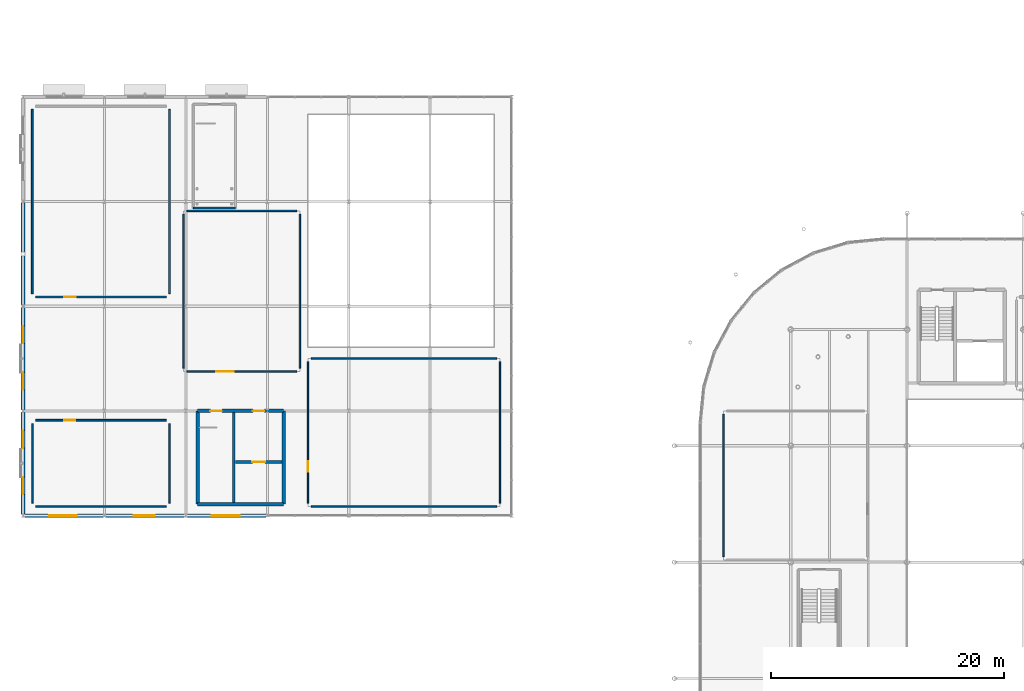
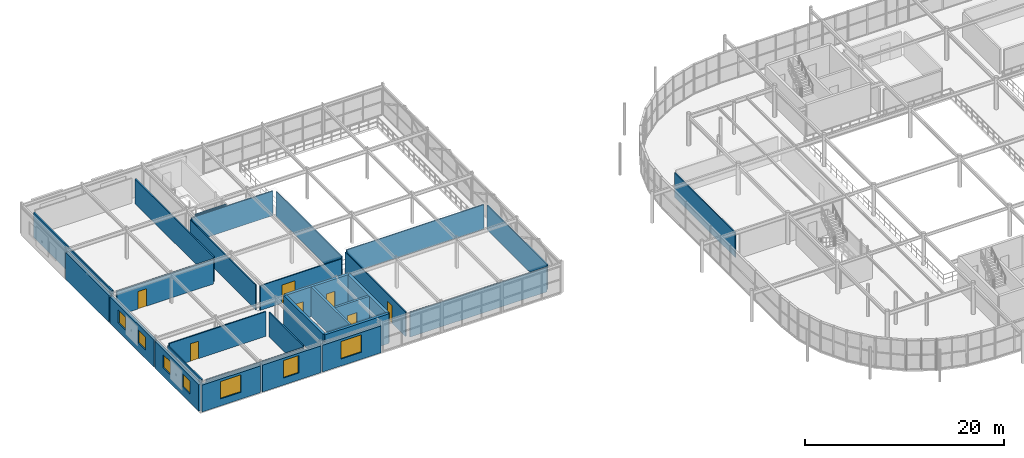
# One storey, part 75 of 98: 29 walls, 7 doors, 7 windows, 14 openings.
"""IFC4 building model written with IfcOpenShell, lengths in metres."""

import ifcopenshell
import ifcopenshell.guid

model = None  # the IFC model being written
_history = None  # IfcOwnerHistory: only IFC2X3 demands one
_inside = {}  # id of a spatial element -> (the spatial element, [elements in it])
_under = {}  # id of a project, library or spatial element -> (it, [spatial elements below it])
_declared = {}  # id of a project -> (the project, [libraries it declares])
_typed = {}  # id of a type object -> (the type object, [elements of that type])
_made_of = {}  # id of a material, layer set ... -> (it, [elements and type objects made of it])


def new_model(schema):
    """Start an empty IFC model of exactly this schema.

    Asked for "IFC4X3", IfcOpenShell would pick the latest addendum, in which some entities
    have other attributes; the version numbers below select the first issue.
    IFC2X3 requires an IfcOwnerHistory on every rooted entity: one is made here for all.
    """
    global model, _history
    if schema == "IFC4X3":
        model = ifcopenshell.file(schema_version=(4, 3, 0, 0))
    else:
        model = ifcopenshell.file(schema=schema)
    _inside.clear()
    _under.clear()
    _declared.clear()
    _typed.clear()
    _made_of.clear()
    _history = None
    if model.schema == "IFC2X3":
        org = make("IfcOrganization", Name="unknown")
        user = make(
            "IfcPersonAndOrganization",
            ThePerson=make("IfcPerson", FamilyName="unknown"),
            TheOrganization=org,
        )
        app = make(
            "IfcApplication",
            ApplicationDeveloper=org,
            Version="unknown",
            ApplicationFullName="unknown",
            ApplicationIdentifier="unknown",
        )
        _history = make(
            "IfcOwnerHistory",
            OwningUser=user,
            OwningApplication=app,
            ChangeAction="ADDED",
            CreationDate=0,
        )
    return model


def make(cls, **values):
    """One entity of the class cls with the attributes given. An attribute that is None is left unset."""
    return model.create_entity(
        cls, **{name: value for name, value in values.items() if value is not None}
    )


def rooted(cls, **values):
    """An entity with a GlobalId (a new one), such as an element, a storey or a relation."""
    return make(cls, GlobalId=ifcopenshell.guid.new(), OwnerHistory=_history, **values)


def si_unit(unit_type, name, prefix=None):
    """IfcSIUnit, for example si_unit("LENGTHUNIT", "METRE", prefix="MILLI")."""
    return make("IfcSIUnit", UnitType=unit_type, Prefix=prefix, Name=name)


def derived_unit(unit_type, elements):
    """IfcDerivedUnit: a product of units, each with its exponent."""
    return make(
        "IfcDerivedUnit",
        Elements=[
            make("IfcDerivedUnitElement", Unit=unit, Exponent=power)
            for unit, power in elements
        ],
        UnitType=unit_type,
    )


def assignment(units):
    """IfcUnitAssignment: the units of a project."""
    return None if units is None else make("IfcUnitAssignment", Units=units)


def point(xyz):
    """IfcCartesianPoint."""
    return None if xyz is None else make("IfcCartesianPoint", Coordinates=xyz)


def direction(xyz):
    """IfcDirection."""
    return None if xyz is None else make("IfcDirection", DirectionRatios=xyz)


def frame(location, z_axis=None, x_axis=None):
    """IfcAxis2Placement3D, a coordinate frame: its origin and axes. An axis left out is left unset."""
    return make(
        "IfcAxis2Placement3D",
        Location=point(location),
        Axis=direction(z_axis),
        RefDirection=direction(x_axis),
    )


def frame_2d(location, x_axis=None):
    """IfcAxis2Placement2D, a coordinate frame in the plane: its origin and x axis."""
    return make(
        "IfcAxis2Placement2D", Location=point(location), RefDirection=direction(x_axis)
    )


def origin():
    """The frame at (0, 0, 0) with its axes left unset."""
    return frame((0.0, 0.0, 0.0))


def place(relative_to, where):
    """IfcLocalPlacement: puts the frame where relative to a parent placement (None: the world)."""
    return make(
        "IfcLocalPlacement", PlacementRelTo=relative_to, RelativePlacement=where
    )


def context(
    kind, dimensions, precision=None, world=None, true_north=None, identifier=None
):
    """IfcGeometricRepresentationContext, for example the 3D "Model" context."""
    return make(
        "IfcGeometricRepresentationContext",
        ContextIdentifier=identifier,
        ContextType=kind,
        CoordinateSpaceDimension=dimensions,
        Precision=precision,
        WorldCoordinateSystem=world,
        TrueNorth=true_north,
    )


def subcontext(parent, identifier, kind, view, scale=None):
    """IfcGeometricRepresentationSubContext, for example "Body" below "Model"."""
    return make(
        "IfcGeometricRepresentationSubContext",
        ContextIdentifier=identifier,
        ContextType=kind,
        ParentContext=parent,
        TargetScale=scale,
        TargetView=view,
    )


def project(units=None, contexts=None):
    """IfcProject with its units and contexts."""
    return rooted(
        "IfcProject",
        Name="project",
        RepresentationContexts=contexts,
        UnitsInContext=assignment(units),
    )


def spatial(cls, under=None, at=None, **own):
    """A site, building, storey or space (cls), placed at a placement, below another one or the project."""
    s = rooted(cls, ObjectPlacement=at, **own)
    if under is not None:
        _under.setdefault(under.id(), (under, []))[1].append(s)
    return s


def profile(cls, at=None, kind="AREA", **sizes):
    """A parametric profile (cls). Its sizes go by their IFC names, for example OverallWidth=200.0."""
    return make(cls, ProfileType=kind, Position=at, **sizes)


def rectangle(**sizes):
    """IfcRectangleProfileDef."""
    return profile("IfcRectangleProfileDef", **sizes)


def extrude(swept, where, along, depth):
    """IfcExtrudedAreaSolid: the profile swept, set in the frame where, extruded along a direction by depth."""
    return make(
        "IfcExtrudedAreaSolid",
        SweptArea=swept,
        Position=where,
        ExtrudedDirection=direction(along),
        Depth=depth,
    )


def shape(context_of_items, identifier, shape_type, items):
    """IfcShapeRepresentation: the items that make up one representation, for example the "Body"."""
    return make(
        "IfcShapeRepresentation",
        ContextOfItems=context_of_items,
        RepresentationIdentifier=identifier,
        RepresentationType=shape_type,
        Items=items,
    )


def material(Name=None, Category=None):
    """IfcMaterial."""
    return make("IfcMaterial", Name=Name, Category=Category)


def layer(
    of_material, thickness, ventilated=None, Name=None, Category=None, Priority=None
):
    """IfcMaterialLayer: one layer of a wall or slab, of a material (None: an air gap)."""
    return make(
        "IfcMaterialLayer",
        Material=of_material,
        LayerThickness=thickness,
        IsVentilated=ventilated,
        Name=Name,
        Category=Category,
        Priority=Priority,
    )


def layer_set(layers, Name=None):
    """IfcMaterialLayerSet."""
    return make("IfcMaterialLayerSet", MaterialLayers=layers, LayerSetName=Name)


def made_of(thing, what):
    """Note that an element or type object is made of a material, layer set ...; save() writes the relation."""
    if what is not None:
        _made_of.setdefault(what.id(), (what, []))[1].append(thing)
    return thing


def type_object(cls, material=None, **own):
    """A type object (cls), such as IfcWallType, which elements share."""
    return made_of(rooted(cls, **own), material)


def element(
    cls,
    number,
    at=None,
    inside=None,
    cuts=None,
    type_object=None,
    material=None,
    context=None,
    identifier="Body",
    shape_type=None,
    held_by="IfcProductDefinitionShape",
    body=None,
    shapes=None,
    **own,
):
    """One element of the class cls, such as IfcWall. Its Tag is "e" and its number.

    at: its placement. inside: the storey or other place that contains it. cuts: it is an
    opening in that element (IfcRelVoidsElement). A single representation is given by context,
    identifier, shape_type and body (its items); several are given by shapes. held_by: the class
    of the entity that holds the representations. save() writes the other relations.
    """
    e = rooted(cls, Tag="e%d" % number, ObjectPlacement=at, **own)
    if body is not None:
        shapes = [shape(context, identifier, shape_type, body)]
    if shapes is not None:
        e.Representation = make(held_by, Representations=shapes)
    if inside is not None:
        _inside.setdefault(inside.id(), (inside, []))[1].append(e)
    if cuts is not None:
        rooted(
            "IfcRelVoidsElement", RelatingBuildingElement=cuts, RelatedOpeningElement=e
        )
    if type_object is not None:
        _typed.setdefault(type_object.id(), (type_object, []))[1].append(e)
    return made_of(e, material)


def fill(opening, filler):
    """IfcRelFillsElement: the door or window that sits in an opening."""
    return rooted(
        "IfcRelFillsElement",
        RelatingOpeningElement=opening,
        RelatedBuildingElement=filler,
    )


def aggregate(whole, parts):
    """IfcRelAggregates: a whole, such as a stair, and the parts it consists of."""
    return rooted("IfcRelAggregates", RelatingObject=whole, RelatedObjects=parts)


def save(model, path):
    """Write the relations noted so far, then the file.

    IfcRelAggregates (storeys below a building ...), IfcRelContainedInSpatialStructure (elements
    in a storey), IfcRelDefinesByType, IfcRelAssociatesMaterial and IfcRelDeclares: one each for
    every whole, place, type object, material and project.
    """
    for whole, parts in _under.values():
        aggregate(whole, parts)
    for where, things in _inside.values():
        rooted(
            "IfcRelContainedInSpatialStructure",
            RelatedElements=things,
            RelatingStructure=where,
        )
    for kind, things in _typed.values():
        rooted("IfcRelDefinesByType", RelatedObjects=things, RelatingType=kind)
    for what, things in _made_of.values():
        rooted("IfcRelAssociatesMaterial", RelatedObjects=things, RelatingMaterial=what)
    for by, libraries in _declared.values():
        rooted("IfcRelDeclares", RelatingContext=by, RelatedDefinitions=libraries)
    model.write(path)


model = new_model("IFC4")

# Units and contexts
model_context = context("Model", 3, precision=1e-05, world=origin(), true_north=direction((0.0, 1.0)))
body_context = subcontext(model_context, "Body", "Model", "MODEL_VIEW")
ifc_project = project(units=[si_unit("LENGTHUNIT", "METRE"), si_unit("AREAUNIT", "SQUARE_METRE"), si_unit("VOLUMEUNIT", "CUBIC_METRE"), si_unit("PLANEANGLEUNIT", "RADIAN"), si_unit("MASSUNIT", "GRAM", prefix="KILO"), derived_unit("THERMALTRANSMITTANCEUNIT", [(si_unit("POWERUNIT", "WATT"), 1), (si_unit("LENGTHUNIT", "METRE"), -2), (si_unit("THERMODYNAMICTEMPERATUREUNIT", "KELVIN"), -1)])], contexts=[model_context])

# Site, building, storey
site_placement = place(None, origin())
site = spatial("IfcSite", under=ifc_project, at=site_placement, CompositionType="ELEMENT")
building_placement = place(site_placement, origin())
building = spatial("IfcBuilding", under=site, at=building_placement, Name="Cinnabar Yard Market Hall", CompositionType="ELEMENT")
storey_placement = place(building_placement, frame((0.0, 0.0, 4.5)))
storey = spatial("IfcBuildingStorey", under=building, at=storey_placement, Name="L01", CompositionType="ELEMENT", Elevation=4.5)

# Wall
ifc_material_1 = material(Name="Acoustic steel-stud plasterboard", Category="steel")
ifc_layer_1 = layer(ifc_material_1, 0.1201171875)
ifc_layer_set_1 = layer_set([ifc_layer_1], Name="Acoustic steel-stud plasterboard")
wall_type_1 = type_object("IfcWallType", Name="WL-PT120", PredefinedType="PARTITIONING", material=ifc_layer_set_1)
wall_1_placement = place(storey_placement, frame((70.199951171875, 56.719970703125, 0.0), z_axis=(0.0, 0.0, 1.0), x_axis=(0.0, -1.0, 0.0)))
element("IfcWall", 1, at=wall_1_placement, inside=storey, type_object=wall_type_1, Name="Partition West Gallery Courtyard Restaurant west", PredefinedType="PARTITIONING", context=body_context, shape_type="SweptSolid", body=[
    extrude(rectangle(XDim=12.239990234375, YDim=0.1201171875, at=frame_2d((6.1201171875, 0.0), x_axis=(1.0, 0.0))), origin(), (0.0, 0.0, 1.0), 3.030029296875),
])

# Wall, opening, door
wall_2_placement = place(storey_placement, frame((24.080078125, 60.39990234375, 0.0), z_axis=(0.0, 0.0, 1.0), x_axis=(1.0, 0.0, 0.0)))
wall_2 = element("IfcWall", 2, at=wall_2_placement, inside=storey, type_object=wall_type_1, Name="Partition Food Court Upper Mezzanine Dining south", PredefinedType="PARTITIONING", context=body_context, shape_type="SweptSolid", body=[
    extrude(rectangle(XDim=9.43994140625, YDim=0.1201171875, at=frame_2d((4.719970703125, 0.0), x_axis=(1.0, 0.0))), origin(), (0.0, 0.0, 1.0), 3.030029296875),
])
opening_1_placement = place(wall_2_placement, frame((2.540771484375, 0.0, 0.0)))
opening_1 = element("IfcOpeningElement", 3, at=opening_1_placement, cuts=wall_2, Name="Opening ID-148", PredefinedType="OPENING", context=body_context, shape_type="SweptSolid", body=[
    extrude(rectangle(XDim=1.5, YDim=2.25, at=frame_2d((0.75, 1.125), x_axis=(1.0, 0.0))), frame((0.0, 0.070068359375, 0.0), z_axis=(0.0, -1.0, 0.0), x_axis=(1.0, 0.0, 0.0)), (0.0, 0.0, 1.0), 0.14013671875),
])
ifc_material_2 = material(Name="Spotted gum timber and vision glass", Category="wood")
door_type_1 = type_object("IfcDoorType", Name="DR-D08", OperationType="NOTDEFINED", PredefinedType="DOOR", material=ifc_material_2)
door_1_placement = place(opening_1_placement, origin())
door_1 = element("IfcDoor", 4, at=door_1_placement, inside=storey, type_object=door_type_1, Name="Interior Door ID-148", OperationType="DOUBLE_SWING_LEFT", OverallHeight=2.25, OverallWidth=1.5, PredefinedType="DOOR", context=body_context, shape_type="SweptSolid", body=[
    extrude(rectangle(XDim=1.5, YDim=2.25, at=frame_2d((0.75, 1.125), x_axis=(1.0, 0.0))), frame((0.0, 0.02490234375, 0.0), z_axis=(0.0, -1.0, 0.0), x_axis=(1.0, 0.0, 0.0)), (0.0, 0.0, 1.0), 0.050048828125),
])
fill(opening_1, door_1)

# Walls
wall_3_placement = place(storey_placement, frame((33.800048828125, 60.679931640625, 0.0), z_axis=(0.0, 0.0, 1.0), x_axis=(0.0, 1.0, 0.0)))
element("IfcWall", 5, at=wall_3_placement, inside=storey, type_object=wall_type_1, Name="Partition Food Court Upper Mezzanine Dining east", PredefinedType="PARTITIONING", context=body_context, shape_type="SweptSolid", body=[
    extrude(rectangle(XDim=13.239990234375, YDim=0.1201171875, at=frame_2d((6.6201171875, 0.0), x_axis=(1.0, 0.0))), origin(), (0.0, 0.0, 1.0), 3.030029296875),
])
wall_4_placement = place(storey_placement, frame((33.52001953125, 74.199951171875, 0.0), z_axis=(0.0, 0.0, 1.0), x_axis=(-1.0, 0.0, 0.0)))
element("IfcWall", 6, at=wall_4_placement, inside=storey, type_object=wall_type_1, Name="Partition Food Court Upper Mezzanine Dining north", PredefinedType="PARTITIONING", context=body_context, shape_type="SweptSolid", body=[
    extrude(rectangle(XDim=9.43994140625, YDim=0.1201171875, at=frame_2d((4.719970703125, 0.0), x_axis=(1.0, 0.0))), origin(), (0.0, 0.0, 1.0), 3.030029296875),
])
wall_5_placement = place(storey_placement, frame((23.800048828125, 73.919921875, 0.0), z_axis=(0.0, 0.0, 1.0), x_axis=(0.0, -1.0, 0.0)))
element("IfcWall", 7, at=wall_5_placement, inside=storey, type_object=wall_type_1, Name="Partition Food Court Upper Mezzanine Dining west", PredefinedType="PARTITIONING", context=body_context, shape_type="SweptSolid", body=[
    extrude(rectangle(XDim=13.239990234375, YDim=0.1201171875, at=frame_2d((6.6201171875, 0.0), x_axis=(1.0, 0.0))), origin(), (0.0, 0.0, 1.0), 3.030029296875),
])
wall_6_placement = place(storey_placement, frame((34.780029296875, 48.800048828125, 0.0), z_axis=(0.0, 0.0, 1.0), x_axis=(1.0, 0.0, 0.0)))
element("IfcWall", 8, at=wall_6_placement, inside=storey, type_object=wall_type_1, Name="Partition Cardamom Tea Salon and Lounge south", PredefinedType="PARTITIONING", context=body_context, shape_type="SweptSolid", body=[
    extrude(rectangle(XDim=15.93994140625, YDim=0.1201171875, at=frame_2d((7.969970703125, 0.0), x_axis=(1.0, 0.0))), origin(), (0.0, 0.0, 1.0), 3.030029296875),
])
wall_7_placement = place(storey_placement, frame((51.0, 49.080078125, 0.0), z_axis=(0.0, 0.0, 1.0), x_axis=(0.0, 1.0, 0.0)))
element("IfcWall", 9, at=wall_7_placement, inside=storey, type_object=wall_type_1, Name="Partition Cardamom Tea Salon and Lounge east", PredefinedType="PARTITIONING", context=body_context, shape_type="SweptSolid", body=[
    extrude(rectangle(XDim=12.139892578125, YDim=0.1201171875, at=frame_2d((6.06982421875, 0.0), x_axis=(1.0, 0.0))), origin(), (0.0, 0.0, 1.0), 3.030029296875),
])
wall_8_placement = place(storey_placement, frame((50.719970703125, 61.5, 0.0), z_axis=(0.0, 0.0, 1.0), x_axis=(-1.0, 0.0, 0.0)))
element("IfcWall", 10, at=wall_8_placement, inside=storey, type_object=wall_type_1, Name="Partition Cardamom Tea Salon and Lounge north", PredefinedType="PARTITIONING", context=body_context, shape_type="SweptSolid", body=[
    extrude(rectangle(XDim=15.93994140625, YDim=0.1201171875, at=frame_2d((7.969970703125, 0.0), x_axis=(1.0, 0.0))), origin(), (0.0, 0.0, 1.0), 3.030029296875),
])

# Wall, opening, door
wall_9_placement = place(storey_placement, frame((34.5, 61.219970703125, 0.0), z_axis=(0.0, 0.0, 1.0), x_axis=(0.0, -1.0, 0.0)))
wall_9 = element("IfcWall", 11, at=wall_9_placement, inside=storey, type_object=wall_type_1, Name="Partition Cardamom Tea Salon and Lounge west", PredefinedType="PARTITIONING", context=body_context, shape_type="SweptSolid", body=[
    extrude(rectangle(XDim=12.139892578125, YDim=0.1201171875, at=frame_2d((6.06982421875, 0.0), x_axis=(1.0, 0.0))), origin(), (0.0, 0.0, 1.0), 3.030029296875),
])
opening_2_placement = place(wall_9_placement, frame((8.527099609375, 0.0, 0.0)))
opening_2 = element("IfcOpeningElement", 12, at=opening_2_placement, cuts=wall_9, Name="Opening ID-149", PredefinedType="OPENING", context=body_context, shape_type="SweptSolid", body=[
    extrude(rectangle(XDim=0.919921875, YDim=2.14990234375, at=frame_2d((0.4599609375, 1.074951171875), x_axis=(1.0, 0.0))), frame((0.0, 0.070068359375, 0.0), z_axis=(0.0, -1.0, 0.0), x_axis=(1.0, 0.0, 0.0)), (0.0, 0.0, 1.0), 0.14013671875),
])
ifc_material_3 = material(Name="Solid-core spotted gum timber", Category="wood")
door_type_2 = type_object("IfcDoorType", Name="DR-D07", OperationType="NOTDEFINED", PredefinedType="DOOR", material=ifc_material_3)
door_2_placement = place(opening_2_placement, origin())
door_2 = element("IfcDoor", 13, at=door_2_placement, inside=storey, type_object=door_type_2, Name="Interior Door ID-149", OperationType="SINGLE_SWING_RIGHT", OverallHeight=2.14990234375, OverallWidth=0.919921875, PredefinedType="DOOR", context=body_context, shape_type="SweptSolid", body=[
    extrude(rectangle(XDim=0.919921875, YDim=2.14990234375, at=frame_2d((0.4599609375, 1.074951171875), x_axis=(1.0, 0.0))), frame((0.0, 0.02490234375, 0.0), z_axis=(0.0, -1.0, 0.0), x_axis=(1.0, 0.0, 0.0)), (0.0, 0.0, 1.0), 0.050048828125),
])
fill(opening_2, door_2)

# Walls
ifc_material_4 = material(Name="Moisture-resistant tiled service wall")
ifc_layer_2 = layer(ifc_material_4, 0.139892578125)
ifc_layer_set_2 = layer_set([ifc_layer_2], Name="Moisture-resistant tiled service wall")
wall_type_2 = type_object("IfcWallType", Name="WL-PT140", PredefinedType="PLUMBINGWALL", material=ifc_layer_set_2)
wall_10_placement = place(storey_placement, frame((11.080078125, 48.800048828125, 0.0), z_axis=(0.0, 0.0, 1.0), x_axis=(1.0, 0.0, 0.0)))
element("IfcWall", 14, at=wall_10_placement, inside=storey, type_object=wall_type_2, Name="Partition Pavilion Mezzanine Accessible WC south", PredefinedType="PLUMBINGWALL", context=body_context, shape_type="SweptSolid", body=[
    extrude(rectangle(XDim=11.239990234375, YDim=0.139892578125, at=frame_2d((5.6201171875, 0.0), x_axis=(1.0, 0.0))), origin(), (0.0, 0.0, 1.0), 3.030029296875),
])
wall_11_placement = place(storey_placement, frame((22.60009765625, 49.080078125, 0.0), z_axis=(0.0, 0.0, 1.0), x_axis=(0.0, 1.0, 0.0)))
element("IfcWall", 15, at=wall_11_placement, inside=storey, type_object=wall_type_2, Name="Partition Pavilion Mezzanine Accessible WC east", PredefinedType="PLUMBINGWALL", context=body_context, shape_type="SweptSolid", body=[
    extrude(rectangle(XDim=6.83984375, YDim=0.139892578125, at=frame_2d((3.419921875, 0.0), x_axis=(1.0, 0.0))), origin(), (0.0, 0.0, 1.0), 3.030029296875),
])

# Wall, opening, door
wall_12_placement = place(storey_placement, frame((22.320068359375, 56.199951171875, 0.0), z_axis=(0.0, 0.0, 1.0), x_axis=(-1.0, 0.0, 0.0)))
wall_12 = element("IfcWall", 16, at=wall_12_placement, inside=storey, type_object=wall_type_2, Name="Partition Pavilion Mezzanine Accessible WC north", PredefinedType="PLUMBINGWALL", context=body_context, shape_type="SweptSolid", body=[
    extrude(rectangle(XDim=11.239990234375, YDim=0.139892578125, at=frame_2d((5.6201171875, 0.0), x_axis=(1.0, 0.0))), origin(), (0.0, 0.0, 1.0), 3.030029296875),
])
opening_3_placement = place(wall_12_placement, frame((7.84326171875, 0.0, 0.0)))
opening_3 = element("IfcOpeningElement", 17, at=opening_3_placement, cuts=wall_12, Name="Opening ID-151", PredefinedType="OPENING", context=body_context, shape_type="SweptSolid", body=[
    extrude(rectangle(XDim=0.919921875, YDim=2.14990234375, at=frame_2d((0.4599609375, 1.074951171875), x_axis=(1.0, 0.0))), frame((0.0, 0.079833984375, 0.0), z_axis=(0.0, -1.0, 0.0), x_axis=(1.0, 0.0, 0.0)), (0.0, 0.0, 1.0), 0.159912109375),
])
door_3_placement = place(opening_3_placement, origin())
door_3 = element("IfcDoor", 18, at=door_3_placement, inside=storey, type_object=door_type_2, Name="Interior Door ID-151", OperationType="SINGLE_SWING_RIGHT", OverallHeight=2.14990234375, OverallWidth=0.919921875, PredefinedType="DOOR", context=body_context, shape_type="SweptSolid", body=[
    extrude(rectangle(XDim=0.919921875, YDim=2.14990234375, at=frame_2d((0.4599609375, 1.074951171875), x_axis=(1.0, 0.0))), frame((0.0, 0.02490234375, 0.0), z_axis=(0.0, -1.0, 0.0), x_axis=(1.0, 0.0, 0.0)), (0.0, 0.0, 1.0), 0.050048828125),
])
fill(opening_3, door_3)

# Walls
wall_13_placement = place(storey_placement, frame((10.800048828125, 55.919921875, 0.0), z_axis=(0.0, 0.0, 1.0), x_axis=(0.0, -1.0, 0.0)))
element("IfcWall", 19, at=wall_13_placement, inside=storey, type_object=wall_type_2, Name="Partition Pavilion Mezzanine Accessible WC west", PredefinedType="PLUMBINGWALL", context=body_context, shape_type="SweptSolid", body=[
    extrude(rectangle(XDim=6.83984375, YDim=0.139892578125, at=frame_2d((3.419921875, 0.0), x_axis=(1.0, 0.0))), origin(), (0.0, 0.0, 1.0), 3.030029296875),
])
ifc_material_5 = material(Name="Fire-rated steel-stud plasterboard", Category="steel")
ifc_layer_3 = layer(ifc_material_5, 0.14990234375)
ifc_layer_set_3 = layer_set([ifc_layer_3], Name="Fire-rated steel-stud plasterboard")
wall_type_3 = type_object("IfcWallType", Name="WL-PT150", PredefinedType="PARTITIONING", material=ifc_layer_set_3)
wall_14_placement = place(storey_placement, frame((24.639892578125, 74.43994140625, 0.0), z_axis=(0.0, 0.0, 1.0), x_axis=(1.0, 0.0, 0.0)))
element("IfcWall", 20, at=wall_14_placement, inside=storey, type_object=wall_type_3, Name="Stair ST-F3 Shaft Wall S L01", PredefinedType="PARTITIONING", context=body_context, shape_type="SweptSolid", body=[
    extrude(rectangle(XDim=3.6201171875, YDim=0.14990234375, at=frame_2d((1.81005859375, 0.0), x_axis=(1.0, 0.0))), origin(), (0.0, 0.0, 1.0), 3.070068359375),
])

# Wall, opening, door
wall_15_placement = place(storey_placement, frame((11.080078125, 66.800048828125, 0.0), z_axis=(0.0, 0.0, 1.0), x_axis=(1.0, 0.0, 0.0)))
wall_15 = element("IfcWall", 21, at=wall_15_placement, inside=storey, type_object=wall_type_3, Name="Partition Pavilion Kitchen Filtration Plant Room south", PredefinedType="PARTITIONING", context=body_context, shape_type="SweptSolid", body=[
    extrude(rectangle(XDim=11.239990234375, YDim=0.14990234375, at=frame_2d((5.6201171875, 0.0), x_axis=(1.0, 0.0))), origin(), (0.0, 0.0, 1.0), 3.030029296875),
])
opening_4_placement = place(wall_15_placement, frame((2.45751953125, 0.0, 0.0)))
opening_4 = element("IfcOpeningElement", 22, at=opening_4_placement, cuts=wall_15, Name="Opening ID-150", PredefinedType="OPENING", context=body_context, shape_type="SweptSolid", body=[
    extrude(rectangle(XDim=1.0, YDim=2.14990234375, at=frame_2d((0.5, 1.074951171875), x_axis=(1.0, 0.0))), frame((0.0, 0.0849609375, 0.0), z_axis=(0.0, -1.0, 0.0), x_axis=(1.0, 0.0, 0.0)), (0.0, 0.0, 1.0), 0.169921875),
])
door_type_3 = type_object("IfcDoorType", Name="DR-D05", OperationType="NOTDEFINED", PredefinedType="DOOR", material=ifc_material_3)
door_4_placement = place(opening_4_placement, origin())
door_4 = element("IfcDoor", 23, at=door_4_placement, inside=storey, type_object=door_type_3, Name="Interior Door ID-150", OperationType="SINGLE_SWING_LEFT", OverallHeight=2.14990234375, OverallWidth=1.0, PredefinedType="DOOR", context=body_context, shape_type="SweptSolid", body=[
    extrude(rectangle(XDim=1.0, YDim=2.14990234375, at=frame_2d((0.5, 1.074951171875), x_axis=(1.0, 0.0))), frame((0.0, 0.02490234375, 0.0), z_axis=(0.0, -1.0, 0.0), x_axis=(1.0, 0.0, 0.0)), (0.0, 0.0, 1.0), 0.050048828125),
])
fill(opening_4, door_4)

# Walls
for number, where, z_axis, x_axis, name in (
    (24, (22.60009765625, 67.080078125, 0.0), (0.0, 0.0, 1.0), (0.0, 1.0, 0.0), "Partition Pavilion Kitchen Filtration Plant Room east"),
    (25, (10.800048828125, 82.919921875, 0.0), (0.0, 0.0, 1.0), (0.0, -1.0, 0.0), "Partition Pavilion Kitchen Filtration Plant Room west"),
):
    element("IfcWall", number, at=place(storey_placement, frame(where, z_axis=z_axis, x_axis=x_axis)), inside=storey, type_object=wall_type_3, Name=name, PredefinedType="PARTITIONING", context=body_context, shape_type="SweptSolid", body=[
        extrude(rectangle(XDim=15.83984375, YDim=0.14990234375, at=frame_2d((7.919921875, 0.0), x_axis=(1.0, 0.0))), origin(), (0.0, 0.0, 1.0), 3.030029296875),
    ])
ifc_material_6 = material(Name="Concrete 40 MPa", Category="concrete")
ifc_layer_4 = layer(ifc_material_6, 0.300048828125)
ifc_layer_set_4 = layer_set([ifc_layer_4], Name="Concrete 40 MPa")
wall_type_4 = type_object("IfcWallType", Name="WL-W-CORE", PredefinedType="SHEAR", material=ifc_layer_set_4)
for number, where, z_axis, x_axis, name in (
    (26, (25.0, 57.0, 0.0), (0.0, 0.0, 1.0), (0.0, -1.0, 0.0), "Core C4 West Shear Wall L01"),
    (27, (32.39990234375, 49.0, 0.0), (0.0, 0.0, 1.0), (0.0, 1.0, 0.0), "Core C4 East Shear Wall L01"),
):
    element("IfcWall", number, at=place(storey_placement, frame(where, z_axis=z_axis, x_axis=x_axis)), inside=storey, type_object=wall_type_4, Name=name, PredefinedType="SHEAR", context=body_context, shape_type="SweptSolid", body=[
        extrude(rectangle(XDim=8.0, YDim=0.300048828125, at=frame_2d((4.0, 0.0), x_axis=(1.0, 0.0))), origin(), (0.0, 0.0, 1.0), 3.64990234375),
    ])
wall_16_placement = place(storey_placement, frame((25.0, 49.0, 0.0), z_axis=(0.0, 0.0, 1.0), x_axis=(1.0, 0.0, 0.0)))
element("IfcWall", 28, at=wall_16_placement, inside=storey, type_object=wall_type_4, Name="Core C4 South Shear Wall L01", PredefinedType="SHEAR", context=body_context, shape_type="SweptSolid", body=[
    extrude(rectangle(XDim=7.39990234375, YDim=0.300048828125, at=frame_2d((3.699951171875, 0.0), x_axis=(1.0, 0.0))), origin(), (0.0, 0.0, 1.0), 3.64990234375),
])

# Wall, openings, doors
wall_17_placement = place(storey_placement, frame((32.39990234375, 57.0, 0.0), z_axis=(0.0, 0.0, 1.0), x_axis=(-1.0, 0.0, 0.0)))
wall_17 = element("IfcWall", 29, at=wall_17_placement, inside=storey, type_object=wall_type_4, Name="Core C4 North Shear Wall L01", PredefinedType="SHEAR", context=body_context, shape_type="SweptSolid", body=[
    extrude(rectangle(XDim=7.39990234375, YDim=0.300048828125, at=frame_2d((3.699951171875, 0.0), x_axis=(1.0, 0.0))), origin(), (0.0, 0.0, 1.0), 3.64990234375),
])
opening_5_placement = place(wall_17_placement, frame((1.64990234375, 0.0, 0.0)))
opening_5 = element("IfcOpeningElement", 30, at=opening_5_placement, cuts=wall_17, Name="Opening CD-027", PredefinedType="OPENING", context=body_context, shape_type="SweptSolid", body=[
    extrude(rectangle(XDim=1.0, YDim=2.14990234375, at=frame_2d((0.5, 1.074951171875), x_axis=(1.0, 0.0))), frame((0.0, 0.159912109375, 0.0), z_axis=(0.0, -1.0, 0.0), x_axis=(1.0, 0.0, 0.0)), (0.0, 0.0, 1.0), 0.320068359375),
])
opening_6_placement = place(wall_17_placement, frame((5.300048828125, 0.0, 0.0)))
opening_6 = element("IfcOpeningElement", 31, at=opening_6_placement, cuts=wall_17, Name="Opening CD-028", PredefinedType="OPENING", context=body_context, shape_type="SweptSolid", body=[
    extrude(rectangle(XDim=1.0, YDim=2.14990234375, at=frame_2d((0.5, 1.074951171875), x_axis=(1.0, 0.0))), frame((0.0, 0.159912109375, 0.0), z_axis=(0.0, -1.0, 0.0), x_axis=(1.0, 0.0, 0.0)), (0.0, 0.0, 1.0), 0.320068359375),
])
door_5_placement = place(opening_5_placement, origin())
door_5 = element("IfcDoor", 32, at=door_5_placement, inside=storey, type_object=door_type_3, Name="Core Door CD-027", OperationType="SINGLE_SWING_RIGHT", OverallHeight=2.14990234375, OverallWidth=1.0, PredefinedType="DOOR", context=body_context, shape_type="SweptSolid", body=[
    extrude(rectangle(XDim=1.0, YDim=2.14990234375, at=frame_2d((0.5, 1.074951171875), x_axis=(1.0, 0.0))), frame((0.0, 0.02490234375, 0.0), z_axis=(0.0, -1.0, 0.0), x_axis=(1.0, 0.0, 0.0)), (0.0, 0.0, 1.0), 0.050048828125),
])
fill(opening_5, door_5)
door_6_placement = place(opening_6_placement, origin())
door_6 = element("IfcDoor", 33, at=door_6_placement, inside=storey, type_object=door_type_3, Name="Core Door CD-028", OperationType="SINGLE_SWING_LEFT", OverallHeight=2.14990234375, OverallWidth=1.0, PredefinedType="DOOR", context=body_context, shape_type="SweptSolid", body=[
    extrude(rectangle(XDim=1.0, YDim=2.14990234375, at=frame_2d((0.5, 1.074951171875), x_axis=(1.0, 0.0))), frame((0.0, 0.02490234375, 0.0), z_axis=(0.0, -1.0, 0.0), x_axis=(1.0, 0.0, 0.0)), (0.0, 0.0, 1.0), 0.050048828125),
])
fill(opening_6, door_6)

# Wall, opening, window
ifc_material_7 = material(Name="Cream limestone and Concrete 32 MPa", Category="masonry")
ifc_layer_5 = layer(ifc_material_7, 0.320068359375)
ifc_layer_set_5 = layer_set([ifc_layer_5], Name="Cream limestone and Concrete 32 MPa")
wall_type_5 = type_object("IfcWallType", Name="WL-W-EXT2", PredefinedType="SOLIDWALL", material=ifc_layer_set_5)
wall_18_placement = place(storey_placement, frame((10.10009765625, 48.0, 0.0), z_axis=(0.0, 0.0, 1.0), x_axis=(1.0, 0.0, 0.0)))
wall_18 = element("IfcWall", 34, at=wall_18_placement, inside=storey, type_object=wall_type_5, Name="Pavilion South Wall L01 Bay 1", PredefinedType="SOLIDWALL", context=body_context, shape_type="SweptSolid", body=[
    extrude(rectangle(XDim=6.7998046875, YDim=0.320068359375, at=frame_2d((3.39990234375, 0.0), x_axis=(1.0, 0.0))), origin(), (0.0, 0.0, 1.0), 3.2900390625),
])
opening_7_placement = place(wall_18_placement, frame((2.139892578125, 0.0, 0.85009765625)))
opening_7 = element("IfcOpeningElement", 35, at=opening_7_placement, cuts=wall_18, Name="Opening W02", PredefinedType="OPENING", context=body_context, shape_type="SweptSolid", body=[
    extrude(rectangle(XDim=2.39990234375, YDim=2.14990234375, at=frame_2d((1.199951171875, 1.074951171875), x_axis=(1.0, 0.0))), frame((0.0, 0.169921875, 0.0), z_axis=(0.0, -1.0, 0.0), x_axis=(1.0, 0.0, 0.0)), (0.0, 0.0, 1.0), 0.340087890625),
])
ifc_material_8 = material(Name="Low-E double glazing in bronze aluminium", Category="aluminium")
window_type_1 = type_object("IfcWindowType", Name="WN-W02", PartitioningType="SINGLE_PANEL", PredefinedType="WINDOW", material=ifc_material_8)
window_1_placement = place(opening_7_placement, origin())
window_1 = element("IfcWindow", 36, at=window_1_placement, inside=storey, type_object=window_type_1, Name="Window WN-V2S-L01-1", OverallHeight=2.14990234375, OverallWidth=2.39990234375, PartitioningType="SINGLE_PANEL", PredefinedType="WINDOW", context=body_context, shape_type="SweptSolid", body=[
    extrude(rectangle(XDim=2.39990234375, YDim=2.14990234375, at=frame_2d((1.199951171875, 1.074951171875), x_axis=(1.0, 0.0))), frame((0.0, 0.030029296875, 0.0), z_axis=(0.0, -1.0, 0.0), x_axis=(1.0, 0.0, 0.0)), (0.0, 0.0, 1.0), 0.06005859375),
])
fill(opening_7, window_1)

wall_19_placement = place(storey_placement, frame((17.10009765625, 48.0, 0.0), z_axis=(0.0, 0.0, 1.0), x_axis=(1.0, 0.0, 0.0)))
wall_19 = element("IfcWall", 37, at=wall_19_placement, inside=storey, type_object=wall_type_5, Name="Pavilion South Wall L01 Bay 2", PredefinedType="SOLIDWALL", context=body_context, shape_type="SweptSolid", body=[
    extrude(rectangle(XDim=6.7998046875, YDim=0.320068359375, at=frame_2d((3.39990234375, 0.0), x_axis=(1.0, 0.0))), origin(), (0.0, 0.0, 1.0), 3.2900390625),
])
opening_8_placement = place(wall_19_placement, frame((2.43994140625, 0.0, 0.85009765625)))
opening_8 = element("IfcOpeningElement", 38, at=opening_8_placement, cuts=wall_19, Name="Opening W01", PredefinedType="OPENING", context=body_context, shape_type="SweptSolid", body=[
    extrude(rectangle(XDim=1.800048828125, YDim=2.14990234375, at=frame_2d((0.89990234375, 1.074951171875), x_axis=(1.0, 0.0))), frame((0.0, 0.169921875, 0.0), z_axis=(0.0, -1.0, 0.0), x_axis=(1.0, 0.0, 0.0)), (0.0, 0.0, 1.0), 0.340087890625),
])
window_type_2 = type_object("IfcWindowType", Name="WN-W01", PartitioningType="SINGLE_PANEL", PredefinedType="WINDOW", material=ifc_material_8)
window_2_placement = place(opening_8_placement, origin())
window_2 = element("IfcWindow", 39, at=window_2_placement, inside=storey, type_object=window_type_2, Name="Window WN-V2S-L01-2", OverallHeight=2.14990234375, OverallWidth=1.800048828125, PartitioningType="SINGLE_PANEL", PredefinedType="WINDOW", context=body_context, shape_type="SweptSolid", body=[
    extrude(rectangle(XDim=1.800048828125, YDim=2.14990234375, at=frame_2d((0.89990234375, 1.074951171875), x_axis=(1.0, 0.0))), frame((0.0, 0.030029296875, 0.0), z_axis=(0.0, -1.0, 0.0), x_axis=(1.0, 0.0, 0.0)), (0.0, 0.0, 1.0), 0.06005859375),
])
fill(opening_8, window_2)

wall_20_placement = place(storey_placement, frame((24.10009765625, 48.0, 0.0), z_axis=(0.0, 0.0, 1.0), x_axis=(1.0, 0.0, 0.0)))
wall_20 = element("IfcWall", 40, at=wall_20_placement, inside=storey, type_object=wall_type_5, Name="Pavilion South Wall L01 Bay 3", PredefinedType="SOLIDWALL", context=body_context, shape_type="SweptSolid", body=[
    extrude(rectangle(XDim=6.7998046875, YDim=0.320068359375, at=frame_2d((3.39990234375, 0.0), x_axis=(1.0, 0.0))), origin(), (0.0, 0.0, 1.0), 3.2900390625),
])
opening_9_placement = place(wall_20_placement, frame((2.139892578125, 0.0, 0.85009765625)))
opening_9 = element("IfcOpeningElement", 41, at=opening_9_placement, cuts=wall_20, Name="Opening W02", PredefinedType="OPENING", context=body_context, shape_type="SweptSolid", body=[
    extrude(rectangle(XDim=2.39990234375, YDim=2.14990234375, at=frame_2d((1.199951171875, 1.074951171875), x_axis=(1.0, 0.0))), frame((0.0, 0.169921875, 0.0), z_axis=(0.0, -1.0, 0.0), x_axis=(1.0, 0.0, 0.0)), (0.0, 0.0, 1.0), 0.340087890625),
])
window_3_placement = place(opening_9_placement, origin())
window_3 = element("IfcWindow", 42, at=window_3_placement, inside=storey, type_object=window_type_1, Name="Window WN-V2S-L01-3", OverallHeight=2.14990234375, OverallWidth=2.39990234375, PartitioningType="SINGLE_PANEL", PredefinedType="WINDOW", context=body_context, shape_type="SweptSolid", body=[
    extrude(rectangle(XDim=2.39990234375, YDim=2.14990234375, at=frame_2d((1.199951171875, 1.074951171875), x_axis=(1.0, 0.0))), frame((0.0, 0.030029296875, 0.0), z_axis=(0.0, -1.0, 0.0), x_axis=(1.0, 0.0, 0.0)), (0.0, 0.0, 1.0), 0.06005859375),
])
fill(opening_9, window_3)

# Wall, openings, windows
wall_21_placement = place(storey_placement, frame((10.0, 56.89990234375, 0.0), z_axis=(0.0, 0.0, 1.0), x_axis=(0.0, -1.0, 0.0)))
wall_21 = element("IfcWall", 43, at=wall_21_placement, inside=storey, type_object=wall_type_5, Name="Pavilion West Wall L01 Bay 1", PredefinedType="SOLIDWALL", context=body_context, shape_type="SweptSolid", body=[
    extrude(rectangle(XDim=8.7998046875, YDim=0.320068359375, at=frame_2d((4.39990234375, 0.0), x_axis=(1.0, 0.0))), origin(), (0.0, 0.0, 1.0), 3.2900390625),
])
opening_10_placement = place(wall_21_placement, frame((1.60009765625, 0.0, 1.050048828125)))
opening_10 = element("IfcOpeningElement", 44, at=opening_10_placement, cuts=wall_21, Name="Opening W03", PredefinedType="OPENING", context=body_context, shape_type="SweptSolid", body=[
    extrude(rectangle(XDim=1.5, YDim=1.60009765625, at=frame_2d((0.75, 0.800048828125), x_axis=(1.0, 0.0))), frame((0.0, 0.169921875, 0.0), z_axis=(0.0, -1.0, 0.0), x_axis=(1.0, 0.0, 0.0)), (0.0, 0.0, 1.0), 0.340087890625),
])
opening_11_placement = place(wall_21_placement, frame((5.580078125, 0.0, 1.050048828125)))
opening_11 = element("IfcOpeningElement", 45, at=opening_11_placement, cuts=wall_21, Name="Opening W03", PredefinedType="OPENING", context=body_context, shape_type="SweptSolid", body=[
    extrude(rectangle(XDim=1.5, YDim=1.60009765625, at=frame_2d((0.75, 0.800048828125), x_axis=(1.0, 0.0))), frame((0.0, 0.169921875, 0.0), z_axis=(0.0, -1.0, 0.0), x_axis=(1.0, 0.0, 0.0)), (0.0, 0.0, 1.0), 0.340087890625),
])
window_type_3 = type_object("IfcWindowType", Name="WN-W03", PartitioningType="SINGLE_PANEL", PredefinedType="WINDOW", material=ifc_material_8)
window_4_placement = place(opening_10_placement, origin())
window_4 = element("IfcWindow", 46, at=window_4_placement, inside=storey, type_object=window_type_3, Name="Window WN-V2W-L01-1A", OverallHeight=1.60009765625, OverallWidth=1.5, PartitioningType="SINGLE_PANEL", PredefinedType="WINDOW", context=body_context, shape_type="SweptSolid", body=[
    extrude(rectangle(XDim=1.5, YDim=1.60009765625, at=frame_2d((0.75, 0.800048828125), x_axis=(1.0, 0.0))), frame((0.0, 0.030029296875, 0.0), z_axis=(0.0, -1.0, 0.0), x_axis=(1.0, 0.0, 0.0)), (0.0, 0.0, 1.0), 0.06005859375),
])
fill(opening_10, window_4)
window_5_placement = place(opening_11_placement, origin())
window_5 = element("IfcWindow", 47, at=window_5_placement, inside=storey, type_object=window_type_3, Name="Window WN-V2W-L01-1B", OverallHeight=1.60009765625, OverallWidth=1.5, PartitioningType="SINGLE_PANEL", PredefinedType="WINDOW", context=body_context, shape_type="SweptSolid", body=[
    extrude(rectangle(XDim=1.5, YDim=1.60009765625, at=frame_2d((0.75, 0.800048828125), x_axis=(1.0, 0.0))), frame((0.0, 0.030029296875, 0.0), z_axis=(0.0, -1.0, 0.0), x_axis=(1.0, 0.0, 0.0)), (0.0, 0.0, 1.0), 0.06005859375),
])
fill(opening_11, window_5)

wall_22_placement = place(storey_placement, frame((10.0, 65.89990234375, 0.0), z_axis=(0.0, 0.0, 1.0), x_axis=(0.0, -1.0, 0.0)))
wall_22 = element("IfcWall", 48, at=wall_22_placement, inside=storey, type_object=wall_type_5, Name="Pavilion West Wall L01 Bay 2", PredefinedType="SOLIDWALL", context=body_context, shape_type="SweptSolid", body=[
    extrude(rectangle(XDim=8.7998046875, YDim=0.320068359375, at=frame_2d((4.39990234375, 0.0), x_axis=(1.0, 0.0))), origin(), (0.0, 0.0, 1.0), 3.2900390625),
])
opening_12_placement = place(wall_22_placement, frame((1.60009765625, 0.0, 1.050048828125)))
opening_12 = element("IfcOpeningElement", 49, at=opening_12_placement, cuts=wall_22, Name="Opening W03", PredefinedType="OPENING", context=body_context, shape_type="SweptSolid", body=[
    extrude(rectangle(XDim=1.5, YDim=1.60009765625, at=frame_2d((0.75, 0.800048828125), x_axis=(1.0, 0.0))), frame((0.0, 0.169921875, 0.0), z_axis=(0.0, -1.0, 0.0), x_axis=(1.0, 0.0, 0.0)), (0.0, 0.0, 1.0), 0.340087890625),
])
opening_13_placement = place(wall_22_placement, frame((5.580078125, 0.0, 1.050048828125)))
opening_13 = element("IfcOpeningElement", 50, at=opening_13_placement, cuts=wall_22, Name="Opening W03", PredefinedType="OPENING", context=body_context, shape_type="SweptSolid", body=[
    extrude(rectangle(XDim=1.5, YDim=1.60009765625, at=frame_2d((0.75, 0.800048828125), x_axis=(1.0, 0.0))), frame((0.0, 0.169921875, 0.0), z_axis=(0.0, -1.0, 0.0), x_axis=(1.0, 0.0, 0.0)), (0.0, 0.0, 1.0), 0.340087890625),
])
window_6_placement = place(opening_12_placement, origin())
window_6 = element("IfcWindow", 51, at=window_6_placement, inside=storey, type_object=window_type_3, Name="Window WN-V2W-L01-2A", OverallHeight=1.60009765625, OverallWidth=1.5, PartitioningType="SINGLE_PANEL", PredefinedType="WINDOW", context=body_context, shape_type="SweptSolid", body=[
    extrude(rectangle(XDim=1.5, YDim=1.60009765625, at=frame_2d((0.75, 0.800048828125), x_axis=(1.0, 0.0))), frame((0.0, 0.030029296875, 0.0), z_axis=(0.0, -1.0, 0.0), x_axis=(1.0, 0.0, 0.0)), (0.0, 0.0, 1.0), 0.06005859375),
])
fill(opening_12, window_6)
window_7_placement = place(opening_13_placement, origin())
window_7 = element("IfcWindow", 52, at=window_7_placement, inside=storey, type_object=window_type_3, Name="Window WN-V2W-L01-2B", OverallHeight=1.60009765625, OverallWidth=1.5, PartitioningType="SINGLE_PANEL", PredefinedType="WINDOW", context=body_context, shape_type="SweptSolid", body=[
    extrude(rectangle(XDim=1.5, YDim=1.60009765625, at=frame_2d((0.75, 0.800048828125), x_axis=(1.0, 0.0))), frame((0.0, 0.030029296875, 0.0), z_axis=(0.0, -1.0, 0.0), x_axis=(1.0, 0.0, 0.0)), (0.0, 0.0, 1.0), 0.06005859375),
])
fill(opening_13, window_7)

# Walls
wall_23_placement = place(storey_placement, frame((10.0, 74.89990234375, 0.0), z_axis=(0.0, 0.0, 1.0), x_axis=(0.0, -1.0, 0.0)))
element("IfcWall", 53, at=wall_23_placement, inside=storey, type_object=wall_type_5, Name="Pavilion West Wall L01 Bay 3", PredefinedType="SOLIDWALL", context=body_context, shape_type="SweptSolid", body=[
    extrude(rectangle(XDim=8.7998046875, YDim=0.320068359375, at=frame_2d((4.39990234375, 0.0), x_axis=(1.0, 0.0))), origin(), (0.0, 0.0, 1.0), 3.2900390625),
])
ifc_layer_6 = layer(ifc_material_6, 0.25)
ifc_layer_set_6 = layer_set([ifc_layer_6], Name="Concrete 40 MPa")
wall_type_6 = type_object("IfcWallType", Name="WL-W-SHAFT", PredefinedType="SHEAR", material=ifc_layer_set_6)
wall_24_placement = place(storey_placement, frame((28.114990234375, 49.14990234375, 0.0), z_axis=(0.0, 0.0, 1.0), x_axis=(0.0, 1.0, 0.0)))
element("IfcWall", 54, at=wall_24_placement, inside=storey, type_object=wall_type_6, Name="Core C4 Shaft Divider L01", PredefinedType="SHEAR", context=body_context, shape_type="SweptSolid", body=[
    extrude(rectangle(XDim=7.7001953125, YDim=0.25, at=frame_2d((3.85009765625, 0.0), x_axis=(1.0, 0.0))), origin(), (0.0, 0.0, 1.0), 3.64990234375),
])

# Wall, opening, door
wall_25_placement = place(storey_placement, frame((28.280029296875, 52.6201171875, 0.0), z_axis=(0.0, 0.0, 1.0), x_axis=(1.0, 0.0, 0.0)))
wall_25 = element("IfcWall", 55, at=wall_25_placement, inside=storey, type_object=wall_type_6, Name="Core C4 Lift Front Wall L01", PredefinedType="SHEAR", context=body_context, shape_type="SweptSolid", body=[
    extrude(rectangle(XDim=3.969970703125, YDim=0.25, at=frame_2d((1.98486328125, 0.0), x_axis=(1.0, 0.0))), origin(), (0.0, 0.0, 1.0), 3.64990234375),
])
opening_14_placement = place(wall_25_placement, frame((1.43505859375, 0.0, 0.0)))
opening_14 = element("IfcOpeningElement", 56, at=opening_14_placement, cuts=wall_25, Name="Opening LD-LP-03-L01", PredefinedType="OPENING", context=body_context, shape_type="SweptSolid", body=[
    extrude(rectangle(XDim=1.10009765625, YDim=2.14990234375, at=frame_2d((0.550048828125, 1.074951171875), x_axis=(1.0, 0.0))), frame((0.0, 0.135009765625, 0.0), z_axis=(0.0, -1.0, 0.0), x_axis=(1.0, 0.0, 0.0)), (0.0, 0.0, 1.0), 0.27001953125),
])
ifc_material_9 = material(Name="Brushed stainless steel landing door", Category="steel")
door_type_4 = type_object("IfcDoorType", Name="DR-LD01", OperationType="NOTDEFINED", PredefinedType="DOOR", material=ifc_material_9)
door_7_placement = place(opening_14_placement, origin())
door_7 = element("IfcDoor", 57, at=door_7_placement, inside=storey, type_object=door_type_4, Name="Lift Landing Door LD-LP-03-L01", OperationType="SLIDING_TO_LEFT", OverallHeight=2.14990234375, OverallWidth=1.10009765625, PredefinedType="DOOR", context=body_context, shape_type="SweptSolid", body=[
    extrude(rectangle(XDim=1.10009765625, YDim=2.14990234375, at=frame_2d((0.550048828125, 1.074951171875), x_axis=(1.0, 0.0))), frame((0.0, 0.02490234375, 0.0), z_axis=(0.0, -1.0, 0.0), x_axis=(1.0, 0.0, 0.0)), (0.0, 0.0, 1.0), 0.050048828125),
])
fill(opening_14, door_7)

save(model, "model.ifc")
